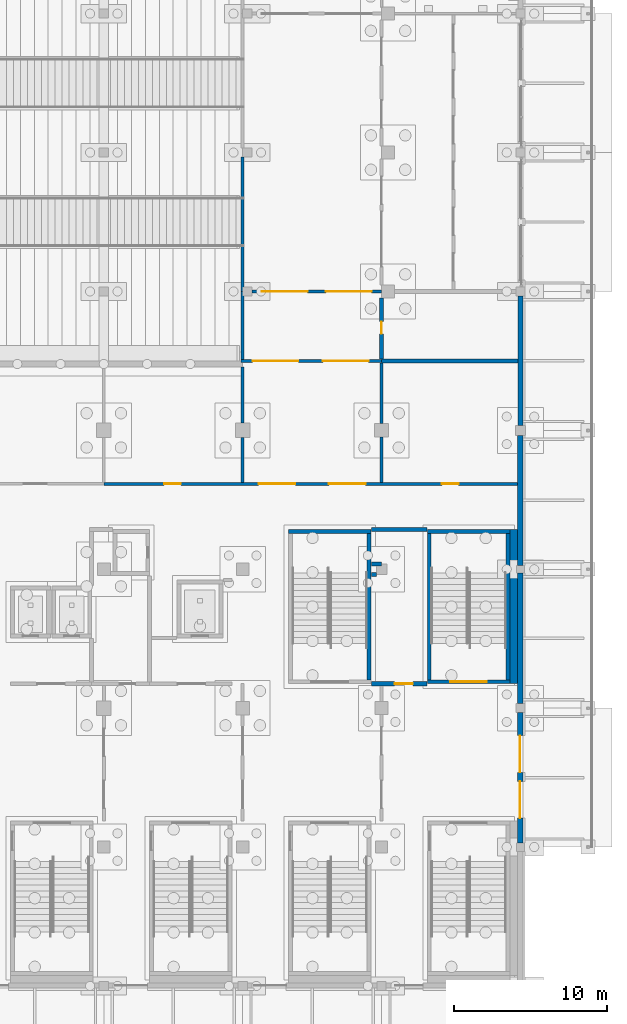
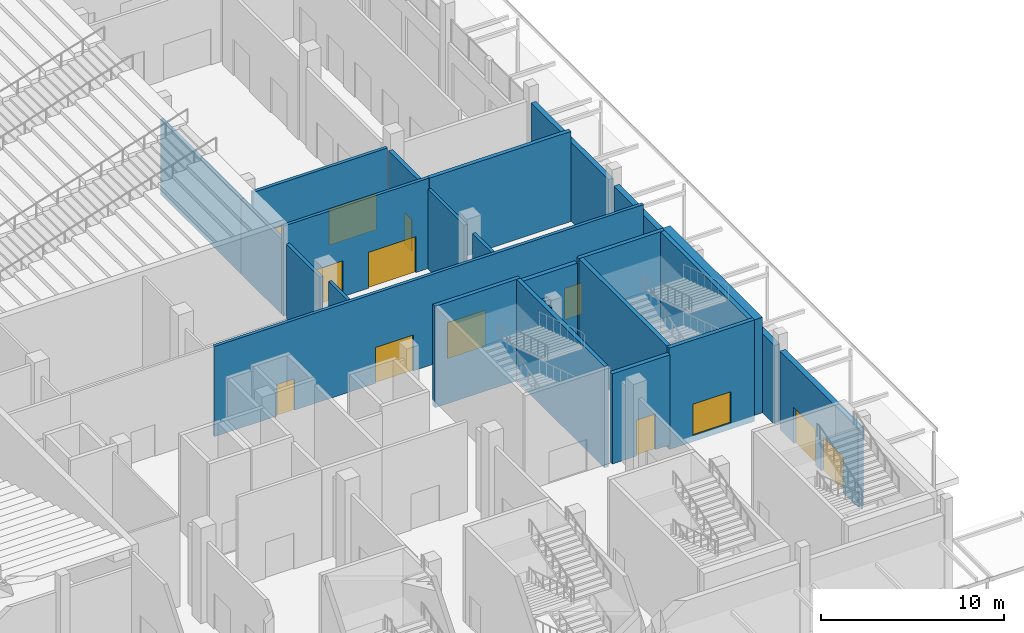
# One storey, part 84 of 129: 26 walls, 13 doors, 13 openings.
"""IFC4 building model written with IfcOpenShell, lengths in metres."""

from ifc_helpers import new_model, si_unit, direction, frame, frame_2d, origin, place, context, subcontext, project, spatial, rectangle, extrude, material, layer, layer_set, type_object, element, fill, save


model = new_model("IFC4")

# Units and contexts
model_context = context("Model", 3, precision=1e-05, world=origin(), true_north=direction((0.0, 1.0)))
body_context = subcontext(model_context, "Body", "Model", "MODEL_VIEW")
ifc_project = project(units=[si_unit("LENGTHUNIT", "METRE"), si_unit("AREAUNIT", "SQUARE_METRE"), si_unit("VOLUMEUNIT", "CUBIC_METRE"), si_unit("PLANEANGLEUNIT", "RADIAN"), si_unit("MASSUNIT", "GRAM", prefix="KILO")], contexts=[model_context])

# Site, building, storey
site_placement = place(None, origin())
site = spatial("IfcSite", under=ifc_project, at=site_placement, CompositionType="ELEMENT")
building_placement = place(site_placement, origin())
building = spatial("IfcBuilding", under=site, at=building_placement, Name="Shirokan Park Arena", CompositionType="ELEMENT")
storey_placement = place(building_placement, origin())
storey = spatial("IfcBuildingStorey", under=building, at=storey_placement, Name="L00", CompositionType="ELEMENT", Elevation=0.0)

# Walls
ifc_material_1 = material(Name="Board-formed concrete C40/50", Category="concrete")
ifc_layer_1 = layer(ifc_material_1, 0.1201171875, Name="Board-formed concrete C40/50")
ifc_material_2 = material(Name="Mineral wool insulation")
ifc_layer_2 = layer(ifc_material_2, 0.10009765625, Name="Mineral wool insulation")
ifc_material_3 = material(Name="Concrete C35", Category="concrete")
ifc_layer_3 = layer(ifc_material_3, 0.080078125, Name="Concrete C35")
ifc_layer_set_1 = layer_set([ifc_layer_1, ifc_layer_2, ifc_layer_3], Name="Board-formed concrete C40/50 + Mineral wool insulation + Concrete C35")
wall_type_1 = type_object("IfcWallType", Name="Board-formed concrete base wall 300", PredefinedType="SOLIDWALL", material=ifc_layer_set_1)
wall_1_placement = place(storey_placement, frame((145.60009765625, 36.72509765625, 0.0), z_axis=(0.0, 0.0, 1.0), x_axis=(0.0, 1.0, 0.0)))
element("IfcWall", 1, at=wall_1_placement, inside=storey, type_object=wall_type_1, Name="East facade wall bay 5 L00", PredefinedType="SOLIDWALL", context=body_context, shape_type="SweptSolid", body=[
    extrude(rectangle(XDim=8.474853515625, YDim=0.300048828125, at=frame_2d((4.2373046875, 0.0))), origin(), (0.0, 0.0, 1.0), 5.27001953125),
])
ifc_material_4 = material(Name="Plaster")
ifc_layer_4 = layer(ifc_material_4, 0.014892578125, Name="Plaster")
ifc_material_5 = material(Name="Concrete blockwork", Category="masonry")
ifc_layer_5 = layer(ifc_material_5, 0.219970703125, Name="Concrete blockwork 220")
ifc_layer_6 = layer(ifc_material_4, 0.014892578125, Name="Plaster")
ifc_layer_set_2 = layer_set([ifc_layer_4, ifc_layer_5, ifc_layer_6], Name="Plaster + Concrete blockwork 220")
wall_type_2 = type_object("IfcWallType", Name="Compartment wall 250", PredefinedType="SOLIDWALL", material=ifc_layer_set_2)
wall_2_placement = place(storey_placement, frame((136.5, 40.949951171875, 0.0), z_axis=(0.0, 0.0, 1.0), x_axis=(1.0, 0.0, 0.0)))
element("IfcWall", 2, at=wall_2_placement, inside=storey, type_object=wall_type_2, Name="Compartment wall 250 L00", PredefinedType="SOLIDWALL", context=body_context, shape_type="SweptSolid", body=[
    extrude(rectangle(XDim=8.949951171875, YDim=0.25, at=frame_2d((4.47509765625, 0.0))), origin(), (0.0, 0.0, 1.0), 6.02001953125),
])

# Wall, opening, door
wall_3_placement = place(storey_placement, frame((136.5, 45.074951171875, 0.0), z_axis=(0.0, 0.0, 1.0), x_axis=(0.0, -1.0, 0.0)))
wall_3 = element("IfcWall", 3, at=wall_3_placement, inside=storey, type_object=wall_type_2, Name="Compartment wall 250 L00", PredefinedType="SOLIDWALL", context=body_context, shape_type="SweptSolid", body=[
    extrude(rectangle(XDim=4.0, YDim=0.25, at=frame_2d((2.0, 0.0))), origin(), (0.0, 0.0, 1.0), 5.320068359375),
])
opening_1_placement = place(wall_3_placement, frame((1.550048828125, 0.0, 0.0)))
opening_1 = element("IfcOpeningElement", 4, at=opening_1_placement, cuts=wall_3, Name="Opening D-0027", PredefinedType="OPENING", context=body_context, shape_type="SweptSolid", body=[
    extrude(rectangle(XDim=0.800048828125, YDim=2.10009765625, at=frame_2d((0.39990234375, 1.050048828125))), frame((0.0, 0.135009765625, 0.0), z_axis=(0.0, -1.0, 0.0), x_axis=(1.0, 0.0, 0.0)), (0.0, 0.0, 1.0), 0.27001953125),
])
ifc_material_6 = material(Name="Timber door set, fire resisting", Category="wood")
door_type_1 = type_object("IfcDoorType", Name="Cleaner store door 800 x 2100", OperationType="SINGLE_SWING_LEFT", PredefinedType="DOOR", material=ifc_material_6)
door_1_placement = place(opening_1_placement, origin())
door_1 = element("IfcDoor", 5, at=door_1_placement, inside=storey, type_object=door_type_1, Name="Door to Cleaner's Store 0.21 D-0027", OperationType="SINGLE_SWING_RIGHT", OverallHeight=2.10009765625, OverallWidth=0.800048828125, PredefinedType="DOOR", context=body_context, shape_type="SweptSolid", body=[
    extrude(rectangle(XDim=0.800048828125, YDim=2.10009765625, at=frame_2d((0.39990234375, 1.050048828125))), frame((0.0, 0.02490234375, 0.0), z_axis=(0.0, -1.0, 0.0), x_axis=(1.0, 0.0, 0.0)), (0.0, 0.0, 1.0), 0.050048828125),
])
fill(opening_1, door_1)

# Wall, openings, doors
ifc_material_7 = material(Name="Gypsum board")
ifc_layer_7 = layer(ifc_material_7, 0.02490234375, Name="Gypsum board, two layers")
ifc_layer_8 = layer(ifc_material_2, 0.14990234375, Name="Mineral wool insulation")
ifc_layer_9 = layer(ifc_material_7, 0.02490234375, Name="Gypsum board, two layers")
ifc_layer_set_3 = layer_set([ifc_layer_7, ifc_layer_8, ifc_layer_9], Name="Gypsum board, two layers + Mineral wool insulation")
wall_type_3 = type_object("IfcWallType", Name="Corridor wall 200", PredefinedType="PARTITIONING", material=ifc_layer_set_3)
wall_4_placement = place(storey_placement, frame((127.300048828125, 40.949951171875, 0.0), z_axis=(0.0, 0.0, 1.0), x_axis=(1.0, 0.0, 0.0)))
wall_4 = element("IfcWall", 6, at=wall_4_placement, inside=storey, type_object=wall_type_3, Name="Corridor wall 200 L00", PredefinedType="PARTITIONING", context=body_context, shape_type="SweptSolid", body=[
    extrude(rectangle(XDim=9.199951171875, YDim=0.199951171875, at=frame_2d((4.60009765625, 0.0))), origin(), (0.0, 0.0, 1.0), 6.02001953125),
])
opening_2_placement = place(wall_4_placement, frame((0.75, 0.0, 0.0)))
opening_2 = element("IfcOpeningElement", 7, at=opening_2_placement, cuts=wall_4, Name="Opening D-0067", PredefinedType="OPENING", context=body_context, shape_type="SweptSolid", body=[
    extrude(rectangle(XDim=3.0, YDim=2.39990234375, at=frame_2d((1.5, 1.199951171875))), frame((0.0, 0.10986328125, 0.0), z_axis=(0.0, -1.0, 0.0), x_axis=(1.0, 0.0, 0.0)), (0.0, 0.0, 1.0), 0.219970703125),
])
opening_3_placement = place(wall_4_placement, frame((5.35009765625, 0.0, 0.0)))
opening_3 = element("IfcOpeningElement", 8, at=opening_3_placement, cuts=wall_4, Name="Opening D-0068", PredefinedType="OPENING", context=body_context, shape_type="SweptSolid", body=[
    extrude(rectangle(XDim=3.0, YDim=2.39990234375, at=frame_2d((1.5, 1.199951171875))), frame((0.0, 0.10986328125, 0.0), z_axis=(0.0, -1.0, 0.0), x_axis=(1.0, 0.0, 0.0)), (0.0, 0.0, 1.0), 0.219970703125),
])
ifc_material_8 = material(Name="Glazed steel door set, fire resisting", Category="steel")
door_type_2 = type_object("IfcDoorType", Name="Concourse door 3000 x 2400", OperationType="DOUBLE_DOOR_SINGLE_SWING", PredefinedType="DOOR", material=ifc_material_8)
door_2_placement = place(opening_2_placement, origin())
door_2 = element("IfcDoor", 9, at=door_2_placement, inside=storey, type_object=door_type_2, Name="Door between Concourse Link 2.0 and Ticket Hall South E2 D-0067", OperationType="DOUBLE_DOOR_SINGLE_SWING", OverallHeight=2.39990234375, OverallWidth=3.0, PredefinedType="DOOR", context=body_context, shape_type="SweptSolid", body=[
    extrude(rectangle(XDim=3.0, YDim=2.39990234375, at=frame_2d((1.5, 1.199951171875))), frame((0.0, 0.02490234375, 0.0), z_axis=(0.0, -1.0, 0.0), x_axis=(1.0, 0.0, 0.0)), (0.0, 0.0, 1.0), 0.050048828125),
])
fill(opening_2, door_2)
door_3_placement = place(opening_3_placement, origin())
door_3 = element("IfcDoor", 10, at=door_3_placement, inside=storey, type_object=door_type_2, Name="Door between Concourse Link 2.0 and Ticket Hall South E2 D-0068", OperationType="DOUBLE_DOOR_SINGLE_SWING", OverallHeight=2.39990234375, OverallWidth=3.0, PredefinedType="DOOR", context=body_context, shape_type="SweptSolid", body=[
    extrude(rectangle(XDim=3.0, YDim=2.39990234375, at=frame_2d((1.5, 1.199951171875))), frame((0.0, 0.02490234375, 0.0), z_axis=(0.0, -1.0, 0.0), x_axis=(1.0, 0.0, 0.0)), (0.0, 0.0, 1.0), 0.050048828125),
])
fill(opening_3, door_3)

wall_5_placement = place(storey_placement, frame((118.300048828125, 32.89990234375, 0.0), z_axis=(0.0, 0.0, 1.0), x_axis=(1.0, 0.0, 0.0)))
wall_5 = element("IfcWall", 11, at=wall_5_placement, inside=storey, type_object=wall_type_3, Name="Corridor wall 200 L00", PredefinedType="PARTITIONING", context=body_context, shape_type="SweptSolid", body=[
    extrude(rectangle(XDim=27.099853515625, YDim=0.199951171875, at=frame_2d((13.5498046875, 0.0))), origin(), (0.0, 0.0, 1.0), 6.02001953125),
])
opening_4_placement = place(wall_5_placement, frame((22.14990234375, 0.0, 0.0)))
opening_4 = element("IfcOpeningElement", 12, at=opening_4_placement, cuts=wall_5, Name="Opening D-0010", PredefinedType="OPENING", context=body_context, shape_type="SweptSolid", body=[
    extrude(rectangle(XDim=1.10009765625, YDim=2.10009765625, at=frame_2d((0.550048828125, 1.050048828125))), frame((0.0, 0.10986328125, 0.0), z_axis=(0.0, -1.0, 0.0), x_axis=(1.0, 0.0, 0.0)), (0.0, 0.0, 1.0), 0.219970703125),
])
opening_5_placement = place(wall_5_placement, frame((3.949951171875, 0.0, 0.0)))
opening_5 = element("IfcOpeningElement", 13, at=opening_5_placement, cuts=wall_5, Name="Opening D-0011", PredefinedType="OPENING", context=body_context, shape_type="SweptSolid", body=[
    extrude(rectangle(XDim=1.10009765625, YDim=2.10009765625, at=frame_2d((0.550048828125, 1.050048828125))), frame((0.0, 0.10986328125, 0.0), z_axis=(0.0, -1.0, 0.0), x_axis=(1.0, 0.0, 0.0)), (0.0, 0.0, 1.0), 0.219970703125),
])
opening_6_placement = place(wall_5_placement, frame((10.14990234375, 0.0, 0.0)))
opening_6 = element("IfcOpeningElement", 14, at=opening_6_placement, cuts=wall_5, Name="Opening D-0051", PredefinedType="OPENING", context=body_context, shape_type="SweptSolid", body=[
    extrude(rectangle(XDim=2.39990234375, YDim=2.39990234375, at=frame_2d((1.199951171875, 1.199951171875))), frame((0.0, 0.10986328125, 0.0), z_axis=(0.0, -1.0, 0.0), x_axis=(1.0, 0.0, 0.0)), (0.0, 0.0, 1.0), 0.219970703125),
])
opening_7_placement = place(wall_5_placement, frame((14.75, 0.0, 0.0)))
opening_7 = element("IfcOpeningElement", 15, at=opening_7_placement, cuts=wall_5, Name="Opening D-0052", PredefinedType="OPENING", context=body_context, shape_type="SweptSolid", body=[
    extrude(rectangle(XDim=2.39990234375, YDim=2.39990234375, at=frame_2d((1.199951171875, 1.199951171875))), frame((0.0, 0.10986328125, 0.0), z_axis=(0.0, -1.0, 0.0), x_axis=(1.0, 0.0, 0.0)), (0.0, 0.0, 1.0), 0.219970703125),
])
ifc_material_9 = material(Name="Steel door set, fire resisting", Category="steel")
door_type_3 = type_object("IfcDoorType", Name="Double door 2400 x 2400", OperationType="DOUBLE_DOOR_SINGLE_SWING", PredefinedType="DOOR", material=ifc_material_9)
door_4_placement = place(opening_6_placement, origin())
door_4 = element("IfcDoor", 16, at=door_4_placement, inside=storey, type_object=door_type_3, Name="Door between Service Corridor 2.0 and Concourse Link 2.0 D-0051", OperationType="DOUBLE_DOOR_SINGLE_SWING", OverallHeight=2.39990234375, OverallWidth=2.39990234375, PredefinedType="DOOR", context=body_context, shape_type="SweptSolid", body=[
    extrude(rectangle(XDim=2.39990234375, YDim=2.39990234375, at=frame_2d((1.199951171875, 1.199951171875))), frame((0.0, 0.02490234375, 0.0), z_axis=(0.0, -1.0, 0.0), x_axis=(1.0, 0.0, 0.0)), (0.0, 0.0, 1.0), 0.050048828125),
])
fill(opening_6, door_4)
door_5_placement = place(opening_7_placement, origin())
door_5 = element("IfcDoor", 17, at=door_5_placement, inside=storey, type_object=door_type_3, Name="Door between Service Corridor 2.0 and Concourse Link 2.0 D-0052", OperationType="DOUBLE_DOOR_SINGLE_SWING", OverallHeight=2.39990234375, OverallWidth=2.39990234375, PredefinedType="DOOR", context=body_context, shape_type="SweptSolid", body=[
    extrude(rectangle(XDim=2.39990234375, YDim=2.39990234375, at=frame_2d((1.199951171875, 1.199951171875))), frame((0.0, 0.02490234375, 0.0), z_axis=(0.0, -1.0, 0.0), x_axis=(1.0, 0.0, 0.0)), (0.0, 0.0, 1.0), 0.050048828125),
])
fill(opening_7, door_5)
door_type_4 = type_object("IfcDoorType", Name="Dressing room door 1100 x 2100", OperationType="SINGLE_SWING_LEFT", PredefinedType="DOOR", material=ifc_material_6)
door_6_placement = place(opening_4_placement, origin())
door_6 = element("IfcDoor", 18, at=door_6_placement, inside=storey, type_object=door_type_4, Name="Door to Star Dressing Room 0.21 D-0010", OperationType="SINGLE_SWING_LEFT", OverallHeight=2.10009765625, OverallWidth=1.10009765625, PredefinedType="DOOR", context=body_context, shape_type="SweptSolid", body=[
    extrude(rectangle(XDim=1.10009765625, YDim=2.10009765625, at=frame_2d((0.550048828125, 1.050048828125))), frame((0.0, 0.02490234375, 0.0), z_axis=(0.0, -1.0, 0.0), x_axis=(1.0, 0.0, 0.0)), (0.0, 0.0, 1.0), 0.050048828125),
])
fill(opening_4, door_6)
door_7_placement = place(opening_5_placement, origin())
door_7 = element("IfcDoor", 19, at=door_7_placement, inside=storey, type_object=door_type_4, Name="Door to Star Dressing Room 0.22 D-0011", OperationType="SINGLE_SWING_RIGHT", OverallHeight=2.10009765625, OverallWidth=1.10009765625, PredefinedType="DOOR", context=body_context, shape_type="SweptSolid", body=[
    extrude(rectangle(XDim=1.10009765625, YDim=2.10009765625, at=frame_2d((0.550048828125, 1.050048828125))), frame((0.0, 0.02490234375, 0.0), z_axis=(0.0, -1.0, 0.0), x_axis=(1.0, 0.0, 0.0)), (0.0, 0.0, 1.0), 0.050048828125),
])
fill(opening_5, door_7)

# Walls
wall_6_placement = place(storey_placement, frame((127.39990234375, 35.925048828125, 0.0), z_axis=(0.0, 0.0, 1.0), x_axis=(0.0, -1.0, 0.0)))
element("IfcWall", 20, at=wall_6_placement, inside=storey, type_object=wall_type_3, Name="Corridor wall 200 L00", PredefinedType="PARTITIONING", context=body_context, shape_type="SweptSolid", body=[
    extrude(rectangle(XDim=2.925048828125, YDim=0.199951171875, at=frame_2d((1.46240234375, 0.0))), origin(), (0.0, 0.0, 1.0), 5.320068359375),
])
wall_7_placement = place(storey_placement, frame((127.39990234375, 40.550048828125, 0.0), z_axis=(0.0, 0.0, 1.0), x_axis=(0.0, -1.0, 0.0)))
element("IfcWall", 21, at=wall_7_placement, inside=storey, type_object=wall_type_3, Name="Corridor wall 200 L00", PredefinedType="PARTITIONING", context=body_context, shape_type="SweptSolid", body=[
    extrude(rectangle(XDim=3.675048828125, YDim=0.199951171875, at=frame_2d((1.83740234375, 0.0))), origin(), (0.0, 0.0, 1.0), 5.02001953125),
])
wall_8_placement = place(storey_placement, frame((127.39990234375, 41.050048828125, 0.0), z_axis=(0.0, 0.0, 1.0), x_axis=(0.0, 1.0, 0.0)))
element("IfcWall", 22, at=wall_8_placement, inside=storey, type_object=wall_type_3, Name="Corridor wall 200 L00", PredefinedType="PARTITIONING", context=body_context, shape_type="SweptSolid", body=[
    extrude(rectangle(XDim=4.449951171875, YDim=0.199951171875, at=frame_2d((2.22509765625, 0.0))), origin(), (0.0, 0.0, 1.0), 5.02001953125),
])
wall_9_placement = place(storey_placement, frame((127.39990234375, 45.5, 0.0), z_axis=(0.0, 0.0, 1.0), x_axis=(0.0, 1.0, 0.0)))
element("IfcWall", 23, at=wall_9_placement, inside=storey, type_object=wall_type_3, Name="Corridor wall 200 L00", PredefinedType="PARTITIONING", context=body_context, shape_type="SweptSolid", body=[
    extrude(rectangle(XDim=8.800048828125, YDim=0.199951171875, at=frame_2d((4.39990234375, 0.0))), origin(), (0.0, 0.0, 1.0), 5.02001953125),
])
wall_10_placement = place(storey_placement, frame((136.5, 33.0, 0.0), z_axis=(0.0, 0.0, 1.0), x_axis=(0.0, 1.0, 0.0)))
element("IfcWall", 24, at=wall_10_placement, inside=storey, type_object=wall_type_3, Name="Corridor wall 200 L00", PredefinedType="PARTITIONING", context=body_context, shape_type="SweptSolid", body=[
    extrude(rectangle(XDim=2.949951171875, YDim=0.199951171875, at=frame_2d((1.47509765625, 0.0))), origin(), (0.0, 0.0, 1.0), 5.320068359375),
])
wall_11_placement = place(storey_placement, frame((136.5, 36.85009765625, 0.0), z_axis=(0.0, 0.0, 1.0), x_axis=(0.0, 1.0, 0.0)))
element("IfcWall", 25, at=wall_11_placement, inside=storey, type_object=wall_type_3, Name="Corridor wall 200 L00", PredefinedType="PARTITIONING", context=body_context, shape_type="SweptSolid", body=[
    extrude(rectangle(XDim=3.974853515625, YDim=0.199951171875, at=frame_2d((1.9873046875, 0.0))), origin(), (0.0, 0.0, 1.0), 5.320068359375),
])

# Wall, openings, doors
wall_12_placement = place(storey_placement, frame((136.5, 45.5, 0.0), z_axis=(0.0, 0.0, 1.0), x_axis=(-1.0, 0.0, 0.0)))
wall_12 = element("IfcWall", 26, at=wall_12_placement, inside=storey, type_object=wall_type_3, Name="Corridor wall 200 L00", PredefinedType="PARTITIONING", context=body_context, shape_type="SweptSolid", body=[
    extrude(rectangle(XDim=8.5, YDim=0.199951171875, at=frame_2d((4.25, 0.0))), origin(), (0.0, 0.0, 1.0), 5.27001953125),
])
opening_8_placement = place(wall_12_placement, frame((0.64990234375, 0.0, 0.0)))
opening_8 = element("IfcOpeningElement", 27, at=opening_8_placement, cuts=wall_12, Name="Opening D-0112", PredefinedType="OPENING", context=body_context, shape_type="SweptSolid", body=[
    extrude(rectangle(XDim=3.0, YDim=2.39990234375, at=frame_2d((1.5, 1.199951171875))), frame((0.0, 0.10986328125, 0.0), z_axis=(0.0, -1.0, 0.0), x_axis=(1.0, 0.0, 0.0)), (0.0, 0.0, 1.0), 0.219970703125),
])
opening_9_placement = place(wall_12_placement, frame((4.85009765625, 0.0, 0.0)))
opening_9 = element("IfcOpeningElement", 28, at=opening_9_placement, cuts=wall_12, Name="Opening D-0113", PredefinedType="OPENING", context=body_context, shape_type="SweptSolid", body=[
    extrude(rectangle(XDim=3.0, YDim=2.39990234375, at=frame_2d((1.5, 1.199951171875))), frame((0.0, 0.10986328125, 0.0), z_axis=(0.0, -1.0, 0.0), x_axis=(1.0, 0.0, 0.0)), (0.0, 0.0, 1.0), 0.219970703125),
])
door_8_placement = place(opening_8_placement, origin())
door_8 = element("IfcDoor", 29, at=door_8_placement, inside=storey, type_object=door_type_2, Name="Door between Entrance Concourse E2 and Ticket Hall South E2 D-0112", OperationType="DOUBLE_DOOR_SINGLE_SWING", OverallHeight=2.39990234375, OverallWidth=3.0, PredefinedType="DOOR", context=body_context, shape_type="SweptSolid", body=[
    extrude(rectangle(XDim=3.0, YDim=2.39990234375, at=frame_2d((1.5, 1.199951171875))), frame((0.0, 0.02490234375, 0.0), z_axis=(0.0, -1.0, 0.0), x_axis=(1.0, 0.0, 0.0)), (0.0, 0.0, 1.0), 0.050048828125),
])
fill(opening_8, door_8)
door_9_placement = place(opening_9_placement, origin())
door_9 = element("IfcDoor", 30, at=door_9_placement, inside=storey, type_object=door_type_2, Name="Door between Entrance Concourse E2 and Ticket Hall South E2 D-0113", OperationType="DOUBLE_DOOR_SINGLE_SWING", OverallHeight=2.39990234375, OverallWidth=3.0, PredefinedType="DOOR", context=body_context, shape_type="SweptSolid", body=[
    extrude(rectangle(XDim=3.0, YDim=2.39990234375, at=frame_2d((1.5, 1.199951171875))), frame((0.0, 0.02490234375, 0.0), z_axis=(0.0, -1.0, 0.0), x_axis=(1.0, 0.0, 0.0)), (0.0, 0.0, 1.0), 0.050048828125),
])
fill(opening_9, door_9)

ifc_material_10 = material(Name="Cedar cladding")
ifc_layer_10 = layer(ifc_material_10, 0.030029296875, Name="Cedar cladding")
ifc_layer_11 = layer(ifc_material_2, 0.10009765625, Name="Mineral wool insulation")
ifc_layer_12 = layer(ifc_material_3, 0.199951171875, Name="Concrete C35")
ifc_material_11 = material(Name="Gypsum board lining")
ifc_layer_13 = layer(ifc_material_11, 0.02001953125, Name="Gypsum board lining")
ifc_layer_set_4 = layer_set([ifc_layer_10, ifc_layer_11, ifc_layer_12, ifc_layer_13], Name="Cedar cladding + Mineral wool insulation + Concrete C35 + Gypsum board lining")
wall_type_4 = type_object("IfcWallType", Name="Insulated tower wall 350", PredefinedType="SOLIDWALL", material=ifc_layer_set_4)
wall_13_placement = place(storey_placement, frame((145.574951171875, 9.375, 0.0), z_axis=(0.0, 0.0, 1.0), x_axis=(0.0, 1.0, 0.0)))
wall_13 = element("IfcWall", 31, at=wall_13_placement, inside=storey, type_object=wall_type_4, Name="East facade wall bay 2 L00", PredefinedType="SOLIDWALL", context=body_context, shape_type="SweptSolid", body=[
    extrude(rectangle(XDim=8.52490234375, YDim=0.35009765625, at=frame_2d((4.262451171875, 0.0))), origin(), (0.0, 0.0, 1.0), 5.27001953125),
])
opening_10_placement = place(wall_13_placement, frame((1.625, 0.0, 0.0)))
opening_10 = element("IfcOpeningElement", 32, at=opening_10_placement, cuts=wall_13, Name="Opening G11", PredefinedType="OPENING", context=body_context, shape_type="SweptSolid", body=[
    extrude(rectangle(XDim=2.39990234375, YDim=2.39990234375, at=frame_2d((1.199951171875, 1.199951171875))), frame((0.0, 0.18505859375, 0.0), z_axis=(0.0, -1.0, 0.0), x_axis=(1.0, 0.0, 0.0)), (0.0, 0.0, 1.0), 0.3701171875),
])
opening_11_placement = place(wall_13_placement, frame((4.625, 0.0, 0.0)))
opening_11 = element("IfcOpeningElement", 33, at=opening_11_placement, cuts=wall_13, Name="Opening G12", PredefinedType="OPENING", context=body_context, shape_type="SweptSolid", body=[
    extrude(rectangle(XDim=2.39990234375, YDim=2.39990234375, at=frame_2d((1.199951171875, 1.199951171875))), frame((0.0, 0.18505859375, 0.0), z_axis=(0.0, -1.0, 0.0), x_axis=(1.0, 0.0, 0.0)), (0.0, 0.0, 1.0), 0.3701171875),
])
ifc_material_12 = material(Name="Steel and glass door", Category="steel")
door_type_5 = type_object("IfcDoorType", Name="Exit door pair 2400x2400", OperationType="DOUBLE_DOOR_SINGLE_SWING", PredefinedType="DOOR", material=ifc_material_12)
door_10_placement = place(opening_10_placement, frame((2.39990234375, 0.0, 0.0), z_axis=(0.0, 0.0, 1.0), x_axis=(-1.0, 0.0, 0.0)))
door_10 = element("IfcDoor", 34, at=door_10_placement, inside=storey, type_object=door_type_5, Name="Pedestrian exit gate G11", OperationType="DOUBLE_DOOR_SINGLE_SWING", OverallHeight=2.39990234375, OverallWidth=2.39990234375, PredefinedType="DOOR", context=body_context, shape_type="SweptSolid", body=[
    extrude(rectangle(XDim=2.39990234375, YDim=2.39990234375, at=frame_2d((1.199951171875, 1.199951171875))), frame((0.0, 0.02490234375, 0.0), z_axis=(0.0, -1.0, 0.0), x_axis=(1.0, 0.0, 0.0)), (0.0, 0.0, 1.0), 0.050048828125),
])
fill(opening_10, door_10)
door_11_placement = place(opening_11_placement, frame((2.39990234375, 0.0, 0.0), z_axis=(0.0, 0.0, 1.0), x_axis=(-1.0, 0.0, 0.0)))
door_11 = element("IfcDoor", 35, at=door_11_placement, inside=storey, type_object=door_type_5, Name="Pedestrian exit gate G12", OperationType="DOUBLE_DOOR_SINGLE_SWING", OverallHeight=2.39990234375, OverallWidth=2.39990234375, PredefinedType="DOOR", context=body_context, shape_type="SweptSolid", body=[
    extrude(rectangle(XDim=2.39990234375, YDim=2.39990234375, at=frame_2d((1.199951171875, 1.199951171875))), frame((0.0, 0.02490234375, 0.0), z_axis=(0.0, -1.0, 0.0), x_axis=(1.0, 0.0, 0.0)), (0.0, 0.0, 1.0), 0.050048828125),
])
fill(opening_11, door_11)

# Walls
wall_14_placement = place(storey_placement, frame((145.574951171875, 18.5, 0.0), z_axis=(0.0, 0.0, 1.0), x_axis=(0.0, 1.0, 0.0)))
element("IfcWall", 36, at=wall_14_placement, inside=storey, type_object=wall_type_4, Name="East facade wall bay 3 L00", PredefinedType="SOLIDWALL", context=body_context, shape_type="SweptSolid", body=[
    extrude(rectangle(XDim=8.550048828125, YDim=0.35009765625, at=frame_2d((4.27490234375, 0.0))), origin(), (0.0, 0.0, 1.0), 5.27001953125),
])
wall_15_placement = place(storey_placement, frame((145.574951171875, 27.550048828125, 0.0), z_axis=(0.0, 0.0, 1.0), x_axis=(0.0, 1.0, 0.0)))
element("IfcWall", 37, at=wall_15_placement, inside=storey, type_object=wall_type_4, Name="East facade wall bay 4 L00", PredefinedType="SOLIDWALL", context=body_context, shape_type="SweptSolid", body=[
    extrude(rectangle(XDim=8.52490234375, YDim=0.35009765625, at=frame_2d((4.262451171875, 0.0))), origin(), (0.0, 0.0, 1.0), 5.27001953125),
])

# Wall, opening, door
ifc_layer_14 = layer(ifc_material_4, 0.012451171875, Name="Plaster")
ifc_layer_15 = layer(ifc_material_5, 0.25, Name="Concrete blockwork 250")
ifc_layer_16 = layer(ifc_material_4, 0.012451171875, Name="Plaster")
ifc_layer_set_5 = layer_set([ifc_layer_14, ifc_layer_15, ifc_layer_16], Name="Plaster + Concrete blockwork 250")
wall_type_5 = type_object("IfcWallType", Name="Plant room wall 275", PredefinedType="SOLIDWALL", material=ifc_layer_set_5)
wall_16_placement = place(storey_placement, frame((135.830078125, 19.800048828125, 0.0), z_axis=(0.0, 0.0, 1.0), x_axis=(1.0, 0.0, 0.0)))
wall_16 = element("IfcWall", 38, at=wall_16_placement, inside=storey, type_object=wall_type_5, Name="Plant room wall 275 L00", PredefinedType="SOLIDWALL", context=body_context, shape_type="SweptSolid", body=[
    extrude(rectangle(XDim=3.639892578125, YDim=0.27490234375, at=frame_2d((1.81982421875, 0.0))), origin(), (0.0, 0.0, 1.0), 6.02001953125),
])
opening_12_placement = place(wall_16_placement, frame((1.52001953125, 0.0, 0.0)))
opening_12 = element("IfcOpeningElement", 39, at=opening_12_placement, cuts=wall_16, Name="Opening D-0007", PredefinedType="OPENING", context=body_context, shape_type="SweptSolid", body=[
    extrude(rectangle(XDim=1.199951171875, YDim=2.39990234375, at=frame_2d((0.60009765625, 1.199951171875))), frame((0.0, 0.1474609375, 0.0), z_axis=(0.0, -1.0, 0.0), x_axis=(1.0, 0.0, 0.0)), (0.0, 0.0, 1.0), 0.294921875),
])
ifc_material_13 = material(Name="Louvred steel door set, fire resisting", Category="steel")
door_type_6 = type_object("IfcDoorType", Name="Plant room door 1200 x 2400", OperationType="SINGLE_SWING_LEFT", PredefinedType="DOOR", material=ifc_material_13)
door_12_placement = place(opening_12_placement, origin())
door_12 = element("IfcDoor", 40, at=door_12_placement, inside=storey, type_object=door_type_6, Name="Door to Electrical Room 0.27 D-0007", OperationType="SINGLE_SWING_RIGHT", OverallHeight=2.39990234375, OverallWidth=1.199951171875, PredefinedType="DOOR", context=body_context, shape_type="SweptSolid", body=[
    extrude(rectangle(XDim=1.199951171875, YDim=2.39990234375, at=frame_2d((0.60009765625, 1.199951171875))), frame((0.0, 0.02490234375, 0.0), z_axis=(0.0, -1.0, 0.0), x_axis=(1.0, 0.0, 0.0)), (0.0, 0.0, 1.0), 0.050048828125),
])
fill(opening_12, door_12)

# Walls
wall_17_placement = place(storey_placement, frame((135.830078125, 26.949951171875, 0.0), z_axis=(0.0, 0.0, 1.0), x_axis=(1.0, 0.0, 0.0)))
element("IfcWall", 41, at=wall_17_placement, inside=storey, type_object=wall_type_5, Name="Plant room wall 275 L00", PredefinedType="SOLIDWALL", context=body_context, shape_type="SweptSolid", body=[
    extrude(rectangle(XDim=0.31982421875, YDim=0.27490234375, at=frame_2d((0.159912109375, 0.0))), origin(), (0.0, 0.0, 1.0), 6.02001953125),
])
wall_18_placement = place(storey_placement, frame((135.830078125, 27.64990234375, 0.0), z_axis=(0.0, 0.0, 1.0), x_axis=(1.0, 0.0, 0.0)))
element("IfcWall", 42, at=wall_18_placement, inside=storey, type_object=wall_type_5, Name="Plant room wall 275 L00", PredefinedType="SOLIDWALL", context=body_context, shape_type="SweptSolid", body=[
    extrude(rectangle(XDim=0.669921875, YDim=0.27490234375, at=frame_2d((0.3349609375, 0.0))), origin(), (0.0, 0.0, 1.0), 6.02001953125),
])
wall_19_placement = place(storey_placement, frame((135.830078125, 29.89990234375, 0.0), z_axis=(0.0, 0.0, 1.0), x_axis=(1.0, 0.0, 0.0)))
element("IfcWall", 43, at=wall_19_placement, inside=storey, type_object=wall_type_5, Name="Plant room wall 275 L00", PredefinedType="SOLIDWALL", context=body_context, shape_type="SweptSolid", body=[
    extrude(rectangle(XDim=3.639892578125, YDim=0.27490234375, at=frame_2d((1.81982421875, 0.0))), origin(), (0.0, 0.0, 1.0), 6.02001953125),
])

# Wall, opening, door
ifc_material_14 = material(Name="Concrete C40/50", Category="concrete")
ifc_layer_17 = layer(ifc_material_14, 0.25)
ifc_layer_set_6 = layer_set([ifc_layer_17], Name="Concrete C40/50 250 mm")
wall_type_6 = type_object("IfcWallType", Name="RC shear wall 250", PredefinedType="SHEAR", material=ifc_layer_set_6)
wall_20_placement = place(storey_placement, frame((144.89990234375, 19.925048828125, -0.39990234375), z_axis=(0.0, 0.0, 1.0), x_axis=(-1.0, 0.0, 0.0)))
wall_20 = element("IfcWall", 44, at=wall_20_placement, inside=storey, type_object=wall_type_6, Name="Shaft wall Exit Stair 2.E S L00", PredefinedType="SHEAR", context=body_context, shape_type="SweptSolid", body=[
    extrude(rectangle(XDim=5.39990234375, YDim=0.25, at=frame_2d((2.699951171875, 0.0))), origin(), (0.0, 0.0, 1.0), 6.77001953125),
])
opening_13_placement = place(wall_20_placement, frame((1.5, 0.0, 0.39990234375)))
opening_13 = element("IfcOpeningElement", 45, at=opening_13_placement, cuts=wall_20, Name="Opening D-0180", PredefinedType="OPENING", context=body_context, shape_type="SweptSolid", body=[
    extrude(rectangle(XDim=2.39990234375, YDim=2.10009765625, at=frame_2d((1.199951171875, 1.050048828125))), frame((0.0, 0.135009765625, 0.0), z_axis=(0.0, -1.0, 0.0), x_axis=(1.0, 0.0, 0.0)), (0.0, 0.0, 1.0), 0.27001953125),
])
door_type_7 = type_object("IfcDoorType", Name="Stair door 2400 x 2100", OperationType="DOUBLE_DOOR_SINGLE_SWING", PredefinedType="DOOR", material=ifc_material_9)
door_13_placement = place(opening_13_placement, origin())
door_13 = element("IfcDoor", 46, at=door_13_placement, inside=storey, type_object=door_type_7, Name="Stair door Exit Stair 2.E D-0180", OperationType="DOUBLE_DOOR_SINGLE_SWING", OverallHeight=2.10009765625, OverallWidth=2.39990234375, PredefinedType="DOOR", context=body_context, shape_type="SweptSolid", body=[
    extrude(rectangle(XDim=2.39990234375, YDim=2.10009765625, at=frame_2d((1.199951171875, 1.050048828125))), frame((0.0, 0.02490234375, 0.0), z_axis=(0.0, -1.0, 0.0), x_axis=(1.0, 0.0, 0.0)), (0.0, 0.0, 1.0), 0.050048828125),
])
fill(opening_13, door_13)

# Walls
wall_21_placement = place(storey_placement, frame((144.89990234375, 29.77490234375, -0.39990234375), z_axis=(0.0, 0.0, 1.0), x_axis=(-1.0, 0.0, 0.0)))
element("IfcWall", 47, at=wall_21_placement, inside=storey, type_object=wall_type_6, Name="Shaft wall Exit Stair 2.E N L00", PredefinedType="SHEAR", context=body_context, shape_type="SweptSolid", body=[
    extrude(rectangle(XDim=5.39990234375, YDim=0.25, at=frame_2d((2.699951171875, 0.0))), origin(), (0.0, 0.0, 1.0), 6.77001953125),
])
for number, where, z_axis, x_axis, name in (
    (48, (139.625, 29.64990234375, -0.39990234375), (0.0, 0.0, 1.0), (0.0, -1.0, 0.0), "Shaft wall Exit Stair 2.E W L00"),
    (49, (144.77490234375, 29.64990234375, -0.39990234375), (0.0, 0.0, 1.0), (0.0, -1.0, 0.0), "Shaft wall Exit Stair 2.E E L00"),
):
    element("IfcWall", number, at=place(storey_placement, frame(where, z_axis=z_axis, x_axis=x_axis)), inside=storey, type_object=wall_type_6, Name=name, PredefinedType="SHEAR", context=body_context, shape_type="SweptSolid", body=[
        extrude(rectangle(XDim=9.599853515625, YDim=0.25, at=frame_2d((4.7998046875, 0.0))), origin(), (0.0, 0.0, 1.0), 6.77001953125),
    ])
wall_22_placement = place(storey_placement, frame((135.800048828125, 29.77490234375, -0.39990234375), z_axis=(0.0, 0.0, 1.0), x_axis=(-1.0, 0.0, 0.0)))
element("IfcWall", 50, at=wall_22_placement, inside=storey, type_object=wall_type_6, Name="Shaft wall Exit Stair 2.F N L00", PredefinedType="SHEAR", context=body_context, shape_type="SweptSolid", body=[
    extrude(rectangle(XDim=5.400146484375, YDim=0.25, at=frame_2d((2.7001953125, 0.0))), origin(), (0.0, 0.0, 1.0), 6.77001953125),
])
wall_23_placement = place(storey_placement, frame((135.675048828125, 29.64990234375, -0.39990234375), z_axis=(0.0, 0.0, 1.0), x_axis=(0.0, -1.0, 0.0)))
element("IfcWall", 51, at=wall_23_placement, inside=storey, type_object=wall_type_6, Name="Shaft wall Exit Stair 2.F E L00", PredefinedType="SHEAR", context=body_context, shape_type="SweptSolid", body=[
    extrude(rectangle(XDim=9.599853515625, YDim=0.25, at=frame_2d((4.7998046875, 0.0))), origin(), (0.0, 0.0, 1.0), 6.77001953125),
])
ifc_layer_18 = layer(ifc_material_3, 0.5)
ifc_layer_set_7 = layer_set([ifc_layer_18], Name="Concrete C35 500 mm")
wall_type_7 = type_object("IfcWallType", Name="Shaft infill wall 500", PredefinedType="SOLIDWALL", material=ifc_layer_set_7)
wall_24_placement = place(storey_placement, frame((145.14990234375, 19.800048828125, 0.0), z_axis=(0.0, 0.0, 1.0), x_axis=(0.0, 1.0, 0.0)))
element("IfcWall", 52, at=wall_24_placement, inside=storey, type_object=wall_type_7, Name="Shaft infill wall L00", PredefinedType="SOLIDWALL", context=body_context, shape_type="SweptSolid", body=[
    extrude(rectangle(XDim=10.099853515625, YDim=0.5, at=frame_2d((5.0498046875, 0.0))), origin(), (0.0, 0.0, 1.0), 6.3701171875),
])

save(model, "model.ifc")
